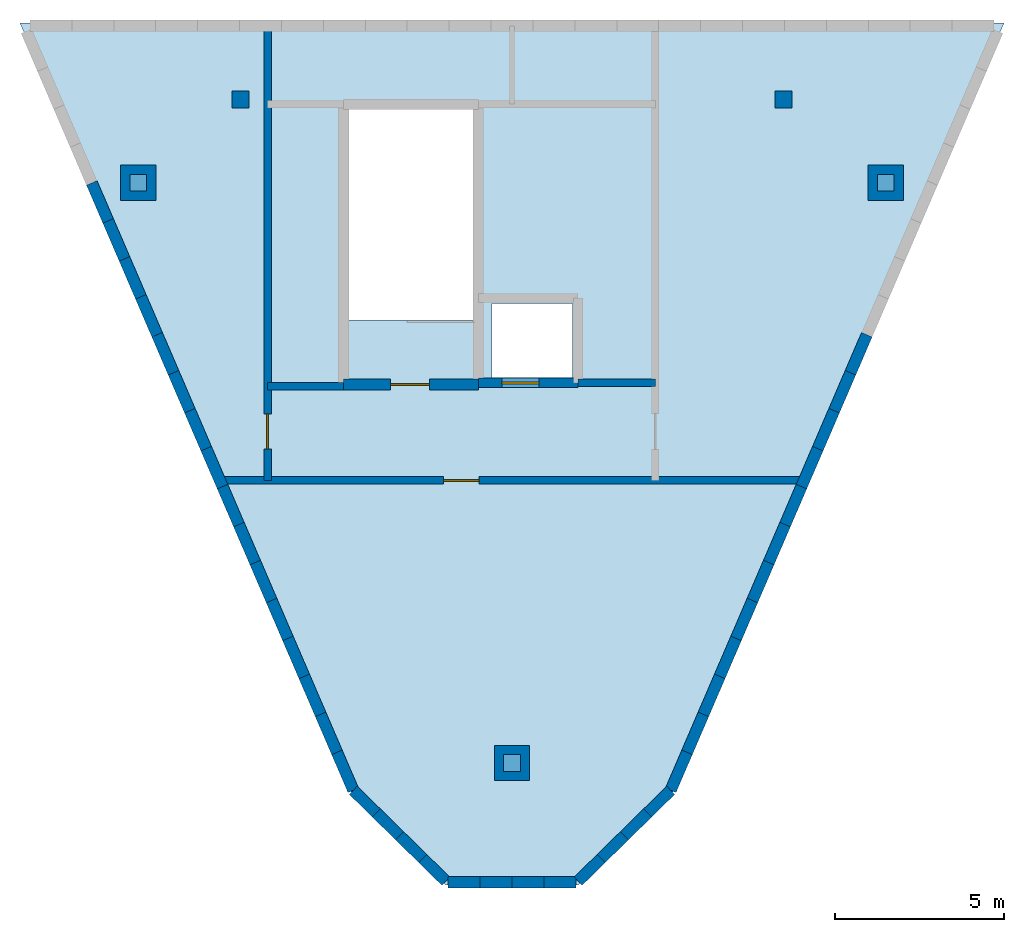
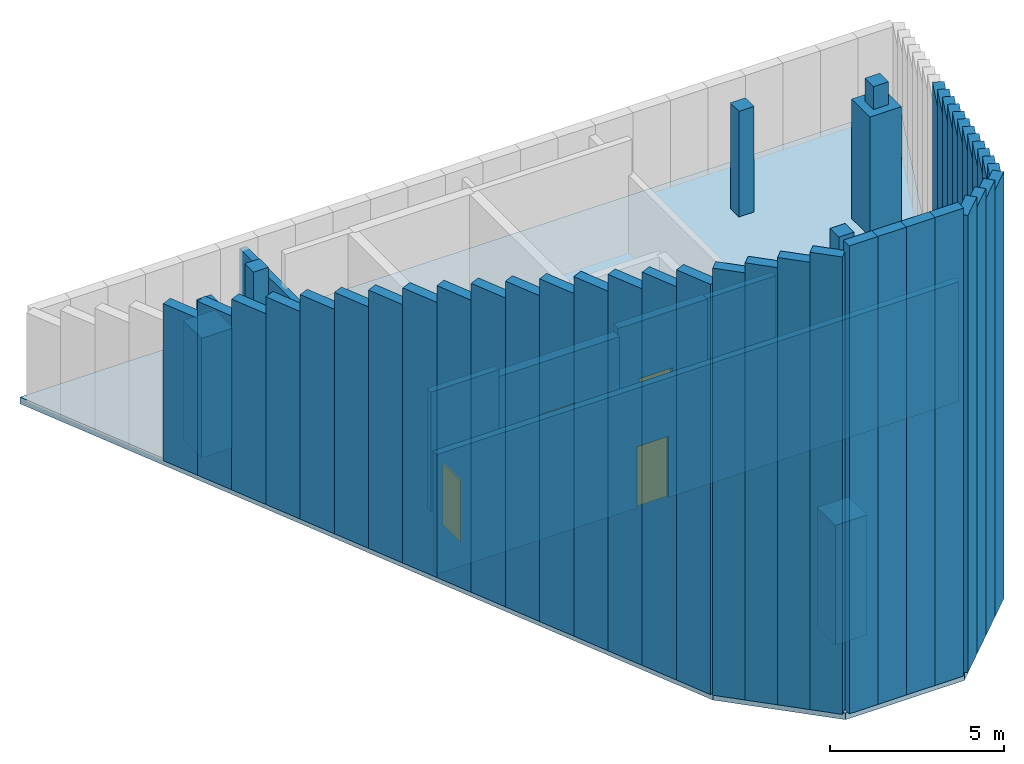
# One storey, part 1 of 3: 46 walls, 8 columns, 4 doors, 1 slab, 4 openings.
"""IFC4 building model written with IfcOpenShell, lengths in metres."""

from ifc_helpers import new_model, si_unit, direction, frame, frame_2d, origin, origin_2d, place, context, subcontext, project, spatial, polyline, rectangle, outline, extrude, material, layer, layer_set, material_profile, profile_set, type_object, element, fill, save


model = new_model("IFC4")

# Units and contexts
model_context = context("Model", 3, precision=1e-05, world=origin(), true_north=direction((0.0, 1.0)))
body_context = subcontext(model_context, "Body", "Model", "MODEL_VIEW")
ifc_project = project(units=[si_unit("LENGTHUNIT", "METRE"), si_unit("AREAUNIT", "SQUARE_METRE"), si_unit("VOLUMEUNIT", "CUBIC_METRE"), si_unit("PLANEANGLEUNIT", "RADIAN"), si_unit("MASSUNIT", "GRAM", prefix="KILO")], contexts=[model_context])

# Site, building, storey
site_placement = place(None, origin())
site = spatial("IfcSite", under=ifc_project, at=site_placement, CompositionType="ELEMENT")
building_placement = place(site_placement, origin())
building = spatial("IfcBuilding", under=site, at=building_placement, Name="Talyreon Biosciences Tower", CompositionType="ELEMENT")
storey_placement = place(building_placement, frame((0.0, 0.0, 329.800048828125)))
storey = spatial("IfcBuildingStorey", under=building, at=storey_placement, Name="L87", CompositionType="ELEMENT", Elevation=329.800048828125)

# Columns
ifc_material_1 = material(Name="Concrete C50/60", Category="concrete")
ifc_material_profile_1 = material_profile(ifc_material_1, rectangle(XDim=0.5, YDim=0.5, at=origin_2d()), Name="RC 500x500")
ifc_profile_set_1 = profile_set([ifc_material_profile_1], Name="Concrete C50/60")
column_type_1 = type_object("IfcColumnType", Name="CrownColumn_500", PredefinedType="COLUMN", material=ifc_profile_set_1)
for number, where, z_axis, x_axis, name in (
    (1, (57.949951171875, 61.35009765625, 0.0), (0.0, 0.0, 1.0), (1.0, 0.0, 0.0), "Crown Roof Support Post CC1"),
    (2, (74.050048828125, 61.35009765625, 0.0), (0.0, 0.0, 1.0), (1.0, 0.0, 0.0), "Crown Roof Support Post CC2"),
):
    element("IfcColumn", number, at=place(storey_placement, frame(where, z_axis=z_axis, x_axis=x_axis)), inside=storey, type_object=column_type_1, Name=name, PredefinedType="COLUMN", context=body_context, shape_type="SweptSolid", body=[
        extrude(rectangle(XDim=0.5, YDim=0.5, at=origin_2d()), origin(), (0.0, 0.0, 1.0), 3.70166015625),
    ])
for number, where, z_axis, x_axis, name in (
    (3, (77.086181640625, 58.88037109375, 4.199951171875), (0.0, 0.0, 1.0), (1.0, 0.0, 0.0), "Crown Roof Support Post MC4"),
    (4, (54.913818359375, 58.88037109375, 4.199951171875), (0.0, 0.0, 1.0), (1.0, 0.0, 0.0), "Crown Roof Support Post MC6"),
):
    element("IfcColumn", number, at=place(storey_placement, frame(where, z_axis=z_axis, x_axis=x_axis)), inside=storey, type_object=column_type_1, Name=name, PredefinedType="COLUMN", context=body_context, shape_type="SweptSolid", body=[
        extrude(rectangle(XDim=0.5, YDim=0.5, at=origin_2d()), origin(), (0.0, 0.0, 1.0), 0.80029296875),
    ])
column_placement = place(storey_placement, frame((66.0, 41.6669921875, 4.199951171875), z_axis=(0.0, 0.0, 1.0), x_axis=(1.0, 0.0, 0.0)))
element("IfcColumn", 5, at=column_placement, inside=storey, type_object=column_type_1, Name="Crown Roof Support Post MC1", PredefinedType="COLUMN", context=body_context, shape_type="SweptSolid", body=[
    extrude(rectangle(XDim=0.5, YDim=0.5, at=origin_2d()), origin(), (0.0, 0.0, 1.0), 9.850830078125),
])
ifc_material_profile_2 = material_profile(ifc_material_1, rectangle(XDim=1.050048828125, YDim=1.050048828125, at=origin_2d()), Name="RC 1050x1050")
ifc_profile_set_2 = profile_set([ifc_material_profile_2], Name="Concrete C50/60")
column_type_2 = type_object("IfcColumnType", Name="MegaColumn_1050", PredefinedType="COLUMN", material=ifc_profile_set_2)
for number, where, z_axis, x_axis, name in (
    (6, (66.0, 41.6669921875, 0.0), (0.0, 0.0, 1.0), (1.0, 0.0, 0.0), "L87 Composite Mega-Column MC1"),
    (7, (77.086181640625, 58.88037109375, 0.0), (0.0, 0.0, 1.0), (1.0, 0.0, 0.0), "L87 Composite Mega-Column MC4"),
    (8, (54.913818359375, 58.88037109375, 0.0), (0.0, 0.0, 1.0), (1.0, 0.0, 0.0), "L87 Composite Mega-Column MC6"),
):
    element("IfcColumn", number, at=place(storey_placement, frame(where, z_axis=z_axis, x_axis=x_axis)), inside=storey, type_object=column_type_2, Name=name, PredefinedType="COLUMN", context=body_context, shape_type="SweptSolid", body=[
        extrude(rectangle(XDim=1.050048828125, YDim=1.050048828125, at=origin_2d()), origin(), (0.0, 0.0, 1.0), 4.199951171875),
    ])

# Slab
ifc_material_2 = material(Name="Concrete C40/50", Category="concrete")
ifc_layer_1 = layer(ifc_material_2, 0.235107421875)
ifc_layer_set_1 = layer_set([ifc_layer_1], Name="Concrete C40/50")
slab_type = type_object("IfcSlabType", Name="CrownPlantSlab_235", PredefinedType="FLOOR", material=ifc_layer_set_1)
slab_placement = place(storey_placement, frame((0.0, 0.0, -0.235107421875)))
element("IfcSlab", 9, at=slab_placement, inside=storey, type_object=slab_type, Name="L87 Structural Floor Slab", PredefinedType="FLOOR", context=body_context, shape_type="SweptSolid", body=[
    extrude(outline(polyline([(51.405029296875, 63.616455078125), (80.594970703125, 63.616455078125), (70.776123046875, 40.810546875), (67.9677734375, 38.053466796875), (64.0322265625, 38.053466796875), (61.223876953125, 40.810546875), (51.405029296875, 63.616455078125)]), holes=[polyline([(65.39990234375, 53.10009765625), (65.39990234375, 55.300048828125), (67.800048828125, 55.300048828125), (67.800048828125, 53.10009765625), (65.39990234375, 53.10009765625)]), polyline([(61.159912109375, 54.80810546875), (61.159912109375, 61.050048828125), (64.840087890625, 61.050048828125), (64.840087890625, 54.80810546875), (61.159912109375, 54.80810546875)])]), origin(), (0.0, 0.0, 1.0), 0.235107421875),
])

# Wall, opening, door
ifc_layer_2 = layer(ifc_material_1, 0.280029296875)
ifc_layer_set_2 = layer_set([ifc_layer_2], Name="Concrete C50/60")
wall_type_1 = type_object("IfcWallType", Name="CoreShearWall_280", PredefinedType="SHEAR", material=ifc_layer_set_2)
wall_1_placement = place(storey_placement, frame((65.0, 52.93994140625, 0.0), z_axis=(0.0, 0.0, 1.0), x_axis=(1.0, 0.0, 0.0)))
wall_1 = element("IfcWall", 10, at=wall_1_placement, inside=storey, type_object=wall_type_1, Name="L87 Crown Service Lift SL1 Shaft Wall S", PredefinedType="SHEAR", context=body_context, shape_type="SweptSolid", body=[
    extrude(rectangle(XDim=2.9599609375, YDim=0.280029296875, at=frame_2d((1.47998046875, 0.0))), origin(), (0.0, 0.0, 1.0), 4.199951171875),
])
opening_1_placement = place(wall_1_placement, frame((0.699951171875, 0.0, 0.0)))
opening_1 = element("IfcOpeningElement", 11, at=opening_1_placement, cuts=wall_1, Name="Opening LD-L87-SL1", PredefinedType="OPENING", context=body_context, shape_type="SweptSolid", body=[
    extrude(rectangle(XDim=1.10009765625, YDim=2.199951171875, at=frame_2d((0.550048828125, 1.10009765625))), frame((0.0, 0.14990234375, 0.0), z_axis=(0.0, -1.0, 0.0), x_axis=(1.0, 0.0, 0.0)), (0.0, 0.0, 1.0), 0.300048828125),
])
ifc_material_3 = material(Name="Brushed stainless-steel lift landing door", Category="steel")
door_type_1 = type_object("IfcDoorType", Name="LiftSlidingLandingDoor_1100x2200", OperationType="SLIDING_TO_LEFT", PredefinedType="DOOR", material=ifc_material_3)
door_1_placement = place(opening_1_placement, origin())
door_1 = element("IfcDoor", 12, at=door_1_placement, inside=storey, type_object=door_type_1, Name="L87 Core Door LD-L87-SL1", OperationType="SLIDING_TO_LEFT", OverallHeight=2.199951171875, OverallWidth=1.10009765625, PredefinedType="DOOR", context=body_context, shape_type="SweptSolid", body=[
    extrude(rectangle(XDim=1.10009765625, YDim=2.199951171875, at=frame_2d((0.550048828125, 1.10009765625))), frame((0.0, 0.02490234375, 0.0), z_axis=(0.0, -1.0, 0.0), x_axis=(1.0, 0.0, 0.0)), (0.0, 0.0, 1.0), 0.050048828125),
])
fill(opening_1, door_1)

ifc_layer_3 = layer(ifc_material_1, 0.320068359375)
ifc_layer_set_3 = layer_set([ifc_layer_3], Name="Concrete C50/60")
wall_type_2 = type_object("IfcWallType", Name="CoreShearWall_320", PredefinedType="SHEAR", material=ifc_layer_set_3)
wall_2_placement = place(storey_placement, frame((61.0, 52.889892578125, 0.0), z_axis=(0.0, 0.0, 1.0), x_axis=(1.0, 0.0, 0.0)))
wall_2 = element("IfcWall", 13, at=wall_2_placement, inside=storey, type_object=wall_type_2, Name="L87 Crown Stair ST-4 Structural Wall S", PredefinedType="SHEAR", context=body_context, shape_type="SweptSolid", body=[
    extrude(rectangle(XDim=4.0, YDim=0.320068359375, at=frame_2d((2.0, 0.0))), origin(), (0.0, 0.0, 1.0), 3.955322265625),
])
opening_2_placement = place(wall_2_placement, frame((1.39990234375, 0.0, 0.0)))
opening_2 = element("IfcOpeningElement", 14, at=opening_2_placement, cuts=wall_2, Name="Opening DR-L87-ST4", PredefinedType="OPENING", context=body_context, shape_type="SweptSolid", body=[
    extrude(rectangle(XDim=1.14990234375, YDim=2.14990234375, at=frame_2d((0.574951171875, 1.074951171875))), frame((0.0, 0.169921875, 0.0), z_axis=(0.0, -1.0, 0.0), x_axis=(1.0, 0.0, 0.0)), (0.0, 0.0, 1.0), 0.340087890625),
])
ifc_material_4 = material(Name="Painted steel fire door", Category="steel")
door_type_2 = type_object("IfcDoorType", Name="StairShaftFireDoor_1150x2150", OperationType="NOTDEFINED", PredefinedType="DOOR", material=ifc_material_4)
door_2_placement = place(opening_2_placement, origin())
door_2 = element("IfcDoor", 15, at=door_2_placement, inside=storey, type_object=door_type_2, Name="L87 Core Door DR-L87-ST4", OperationType="SINGLE_SWING_LEFT", OverallHeight=2.14990234375, OverallWidth=1.14990234375, PredefinedType="DOOR", context=body_context, shape_type="SweptSolid", body=[
    extrude(rectangle(XDim=1.14990234375, YDim=2.14990234375, at=frame_2d((0.574951171875, 1.074951171875))), frame((0.0, 0.02490234375, 0.0), z_axis=(0.0, -1.0, 0.0), x_axis=(1.0, 0.0, 0.0)), (0.0, 0.0, 1.0), 0.050048828125),
])
fill(opening_2, door_2)

ifc_material_5 = material(Name="Gypsum fireboard acoustic stud", Category="gypsum")
ifc_layer_4 = layer(ifc_material_5, 0.219970703125)
ifc_layer_set_4 = layer_set([ifc_layer_4], Name="Gypsum fireboard acoustic stud")
wall_type_3 = type_object("IfcWallType", Name="CorridorRatedPartition_220", PredefinedType="PARTITIONING", material=ifc_layer_set_4)
wall_3_placement = place(storey_placement, frame((57.33837890625, 50.050048828125, 0.0), z_axis=(0.0, 0.0, 1.0), x_axis=(1.0, 0.0, 0.0)))
wall_3 = element("IfcWall", 16, at=wall_3_placement, inside=storey, type_object=wall_type_3, Name="L87 Interior Wall IW-L87-CCOR-S", PredefinedType="PARTITIONING", context=body_context, shape_type="SweptSolid", body=[
    extrude(rectangle(XDim=17.3232421875, YDim=0.219970703125, at=frame_2d((8.66162109375, 0.0))), origin(), (0.0, 0.0, 1.0), 4.199951171875),
])
opening_3_placement = place(wall_3_placement, frame((6.636962890625, 0.0, 0.0)))
opening_3 = element("IfcOpeningElement", 17, at=opening_3_placement, cuts=wall_3, Name="Opening DR-L87-AHU", PredefinedType="OPENING", context=body_context, shape_type="SweptSolid", body=[
    extrude(rectangle(XDim=1.050048828125, YDim=2.14990234375, at=frame_2d((0.52490234375, 1.074951171875))), frame((0.0, 0.119873046875, 0.0), z_axis=(0.0, -1.0, 0.0), x_axis=(1.0, 0.0, 0.0)), (0.0, 0.0, 1.0), 0.239990234375),
])
ifc_material_6 = material(Name="Acoustic timber-core laboratory door", Category="wood")
door_type_3 = type_object("IfcDoorType", Name="DryLabSingleDoor_1050x2150", OperationType="NOTDEFINED", PredefinedType="DOOR", material=ifc_material_6)
door_3_placement = place(opening_3_placement, origin())
door_3 = element("IfcDoor", 18, at=door_3_placement, inside=storey, type_object=door_type_3, Name="L87 Interior Door DR-L87-AHU", OperationType="SINGLE_SWING_LEFT", OverallHeight=2.14990234375, OverallWidth=1.050048828125, PredefinedType="DOOR", context=body_context, shape_type="SweptSolid", body=[
    extrude(rectangle(XDim=1.050048828125, YDim=2.14990234375, at=frame_2d((0.52490234375, 1.074951171875))), frame((0.0, 0.02490234375, 0.0), z_axis=(0.0, -1.0, 0.0), x_axis=(1.0, 0.0, 0.0)), (0.0, 0.0, 1.0), 0.050048828125),
])
fill(opening_3, door_3)

wall_4_placement = place(storey_placement, frame((58.75, 50.050048828125, 0.0), z_axis=(0.0, 0.0, 1.0), x_axis=(0.0, 1.0, 0.0)))
wall_4 = element("IfcWall", 19, at=wall_4_placement, inside=storey, type_object=wall_type_3, Name="L87 Interior Wall IW-L87-CCOR-W", PredefinedType="PARTITIONING", context=body_context, shape_type="SweptSolid", body=[
    extrude(rectangle(XDim=13.4814453125, YDim=0.219970703125, at=frame_2d((6.74072265625, 0.0))), origin(), (0.0, 0.0, 1.0), 2.734619140625),
])
opening_4_placement = place(wall_4_placement, frame((0.925048828125, 0.0, 0.0)))
opening_4 = element("IfcOpeningElement", 20, at=opening_4_placement, cuts=wall_4, Name="Opening DR-L87-SWG", PredefinedType="OPENING", context=body_context, shape_type="SweptSolid", body=[
    extrude(rectangle(XDim=1.050048828125, YDim=2.14990234375, at=frame_2d((0.52490234375, 1.074951171875))), frame((0.0, 0.119873046875, 0.0), z_axis=(0.0, -1.0, 0.0), x_axis=(1.0, 0.0, 0.0)), (0.0, 0.0, 1.0), 0.239990234375),
])
door_4_placement = place(opening_4_placement, origin())
door_4 = element("IfcDoor", 21, at=door_4_placement, inside=storey, type_object=door_type_3, Name="L87 Interior Door DR-L87-SWG", OperationType="SINGLE_SWING_LEFT", OverallHeight=2.14990234375, OverallWidth=1.050048828125, PredefinedType="DOOR", context=body_context, shape_type="SweptSolid", body=[
    extrude(rectangle(XDim=1.050048828125, YDim=2.14990234375, at=frame_2d((0.52490234375, 1.074951171875))), frame((0.0, 0.02490234375, 0.0), z_axis=(0.0, -1.0, 0.0), x_axis=(1.0, 0.0, 0.0)), (0.0, 0.0, 1.0), 0.050048828125),
])
fill(opening_4, door_4)

# Walls
wall_5_placement = place(storey_placement, frame((58.75, 52.840087890625, 0.0), z_axis=(0.0, 0.0, 1.0), x_axis=(1.0, 0.0, 0.0)))
element("IfcWall", 22, at=wall_5_placement, inside=storey, type_object=wall_type_3, Name="L87 Interior Wall IW-L87-CCOR-NW", PredefinedType="PARTITIONING", context=body_context, shape_type="SweptSolid", body=[
    extrude(rectangle(XDim=2.25, YDim=0.219970703125, at=frame_2d((1.125, 0.0))), origin(), (0.0, 0.0, 1.0), 4.199951171875),
])
wall_6_placement = place(storey_placement, frame((67.9599609375, 52.93994140625, 0.0), z_axis=(0.0, 0.0, 1.0), x_axis=(1.0, 0.0, 0.0)))
element("IfcWall", 23, at=wall_6_placement, inside=storey, type_object=wall_type_3, Name="L87 Interior Wall IW-L87-CCOR-NE", PredefinedType="PARTITIONING", context=body_context, shape_type="SweptSolid", body=[
    extrude(rectangle(XDim=2.2900390625, YDim=0.219970703125, at=frame_2d((1.14501953125, 0.0))), origin(), (0.0, 0.0, 1.0), 4.199951171875),
])
ifc_material_7 = material(Name="Precast concrete C45/55", Category="concrete")
ifc_layer_5 = layer(ifc_material_7, 0.340087890625)
ifc_layer_set_5 = layer_set([ifc_layer_5], Name="Precast concrete C45/55")
wall_type_4 = type_object("IfcWallType", Name="PrecastConcreteSpandrelWall_340", PredefinedType="STANDARD", material=ifc_layer_set_5)
wall_7_placement = place(storey_placement, frame((76.5263671875, 54.36865234375, 0.0), z_axis=(0.0, 0.0, 1.0), x_axis=(-0.395505017076, -0.91846381609, 0.0)))
element("IfcWall", 24, at=wall_7_placement, inside=storey, type_object=wall_type_4, Name="L87 Slanted Crown Spandrel 01.09", PredefinedType="STANDARD", context=body_context, shape_type="SweptSolid", body=[
    extrude(rectangle(XDim=1.225830078125, YDim=0.340087890625, at=frame_2d((0.61279296875, 0.0))), origin(), (0.0, 0.0, 1.0), 7.872314453125),
])
wall_8_placement = place(storey_placement, frame((76.04150390625, 53.24267578125, 0.0), z_axis=(0.0, 0.0, 1.0), x_axis=(-0.395505017076, -0.91846381609, 0.0)))
element("IfcWall", 25, at=wall_8_placement, inside=storey, type_object=wall_type_4, Name="L87 Slanted Crown Spandrel 01.10", PredefinedType="STANDARD", context=body_context, shape_type="SweptSolid", body=[
    extrude(rectangle(XDim=1.225830078125, YDim=0.340087890625, at=frame_2d((0.61279296875, 0.0))), origin(), (0.0, 0.0, 1.0), 8.46435546875),
])
wall_9_placement = place(storey_placement, frame((75.556640625, 52.11669921875, 0.0), z_axis=(0.0, 0.0, 1.0), x_axis=(-0.395264691999, -0.918567266595, 0.0)))
element("IfcWall", 26, at=wall_9_placement, inside=storey, type_object=wall_type_4, Name="L87 Slanted Crown Spandrel 01.11", PredefinedType="STANDARD", context=body_context, shape_type="SweptSolid", body=[
    extrude(rectangle(XDim=1.22607421875, YDim=0.340087890625, at=frame_2d((0.613037109375, 0.0))), origin(), (0.0, 0.0, 1.0), 9.056396484375),
])
wall_10_placement = place(storey_placement, frame((75.072021484375, 50.990478515625, 0.0), z_axis=(0.0, 0.0, 1.0), x_axis=(-0.395505017076, -0.91846381609, 0.0)))
element("IfcWall", 27, at=wall_10_placement, inside=storey, type_object=wall_type_4, Name="L87 Slanted Crown Spandrel 01.12", PredefinedType="STANDARD", context=body_context, shape_type="SweptSolid", body=[
    extrude(rectangle(XDim=1.225830078125, YDim=0.340087890625, at=frame_2d((0.61279296875, 0.0))), origin(), (0.0, 0.0, 1.0), 9.6484375),
])
wall_11_placement = place(storey_placement, frame((74.587158203125, 49.864501953125, 0.0), z_axis=(0.0, 0.0, 1.0), x_axis=(-0.395505017076, -0.91846381609, 0.0)))
element("IfcWall", 28, at=wall_11_placement, inside=storey, type_object=wall_type_4, Name="L87 Slanted Crown Spandrel 01.13", PredefinedType="STANDARD", context=body_context, shape_type="SweptSolid", body=[
    extrude(rectangle(XDim=1.225830078125, YDim=0.340087890625, at=frame_2d((0.61279296875, 0.0))), origin(), (0.0, 0.0, 1.0), 10.240478515625),
])
wall_12_placement = place(storey_placement, frame((74.102294921875, 48.738525390625, 0.0), z_axis=(0.0, 0.0, 1.0), x_axis=(-0.395337002036, -0.918536147803, 0.0)))
element("IfcWall", 29, at=wall_12_placement, inside=storey, type_object=wall_type_4, Name="L87 Slanted Crown Spandrel 01.14", PredefinedType="STANDARD", context=body_context, shape_type="SweptSolid", body=[
    extrude(rectangle(XDim=1.225830078125, YDim=0.340087890625, at=frame_2d((0.61279296875, 0.0))), origin(), (0.0, 0.0, 1.0), 10.832763671875),
])
wall_13_placement = place(storey_placement, frame((73.61767578125, 47.612548828125, 0.0), z_axis=(0.0, 0.0, 1.0), x_axis=(-0.395505017076, -0.91846381609, 0.0)))
element("IfcWall", 30, at=wall_13_placement, inside=storey, type_object=wall_type_4, Name="L87 Slanted Crown Spandrel 01.15", PredefinedType="STANDARD", context=body_context, shape_type="SweptSolid", body=[
    extrude(rectangle(XDim=1.225830078125, YDim=0.340087890625, at=frame_2d((0.61279296875, 0.0))), origin(), (0.0, 0.0, 1.0), 11.424560546875),
])
wall_14_placement = place(storey_placement, frame((73.1328125, 46.486572265625, 0.0), z_axis=(0.0, 0.0, 1.0), x_axis=(-0.395505017076, -0.91846381609, 0.0)))
element("IfcWall", 31, at=wall_14_placement, inside=storey, type_object=wall_type_4, Name="L87 Slanted Crown Spandrel 01.16", PredefinedType="STANDARD", context=body_context, shape_type="SweptSolid", body=[
    extrude(rectangle(XDim=1.225830078125, YDim=0.340087890625, at=frame_2d((0.61279296875, 0.0))), origin(), (0.0, 0.0, 1.0), 12.0166015625),
])
wall_15_placement = place(storey_placement, frame((72.64794921875, 45.360595703125, 0.0), z_axis=(0.0, 0.0, 1.0), x_axis=(-0.395505017076, -0.91846381609, 0.0)))
element("IfcWall", 32, at=wall_15_placement, inside=storey, type_object=wall_type_4, Name="L87 Slanted Crown Spandrel 01.17", PredefinedType="STANDARD", context=body_context, shape_type="SweptSolid", body=[
    extrude(rectangle(XDim=1.225830078125, YDim=0.340087890625, at=frame_2d((0.61279296875, 0.0))), origin(), (0.0, 0.0, 1.0), 12.608642578125),
])
wall_16_placement = place(storey_placement, frame((72.1630859375, 44.234619140625, 0.0), z_axis=(0.0, 0.0, 1.0), x_axis=(-0.395337002036, -0.918536147803, 0.0)))
element("IfcWall", 33, at=wall_16_placement, inside=storey, type_object=wall_type_4, Name="L87 Slanted Crown Spandrel 01.18", PredefinedType="STANDARD", context=body_context, shape_type="SweptSolid", body=[
    extrude(rectangle(XDim=1.225830078125, YDim=0.340087890625, at=frame_2d((0.61279296875, 0.0))), origin(), (0.0, 0.0, 1.0), 13.20068359375),
])
wall_17_placement = place(storey_placement, frame((71.678466796875, 43.108642578125, 0.0), z_axis=(0.0, 0.0, 1.0), x_axis=(-0.395505017076, -0.91846381609, 0.0)))
element("IfcWall", 34, at=wall_17_placement, inside=storey, type_object=wall_type_4, Name="L87 Slanted Crown Spandrel 01.19", PredefinedType="STANDARD", context=body_context, shape_type="SweptSolid", body=[
    extrude(rectangle(XDim=1.225830078125, YDim=0.340087890625, at=frame_2d((0.61279296875, 0.0))), origin(), (0.0, 0.0, 1.0), 13.792724609375),
])
wall_18_placement = place(storey_placement, frame((71.193603515625, 41.982666015625, 0.0), z_axis=(0.0, 0.0, 1.0), x_axis=(-0.395505017076, -0.91846381609, 0.0)))
element("IfcWall", 35, at=wall_18_placement, inside=storey, type_object=wall_type_4, Name="L87 Slanted Crown Spandrel 01.20", PredefinedType="STANDARD", context=body_context, shape_type="SweptSolid", body=[
    extrude(rectangle(XDim=1.225830078125, YDim=0.340087890625, at=frame_2d((0.61279296875, 0.0))), origin(), (0.0, 0.0, 1.0), 14.384765625),
])
wall_19_placement = place(storey_placement, frame((70.708740234375, 40.856689453125, 0.0), z_axis=(0.0, 0.0, 1.0), x_axis=(-0.713547825106, -0.700606523868, 0.0)))
element("IfcWall", 36, at=wall_19_placement, inside=storey, type_object=wall_type_4, Name="L87 Slanted Crown Spandrel 02.01", PredefinedType="STANDARD", context=body_context, shape_type="SweptSolid", body=[
    extrude(rectangle(XDim=0.962158203125, YDim=0.340087890625, at=frame_2d((0.48095703125, 0.0))), origin(), (0.0, 0.0, 1.0), 14.976806640625),
])
wall_20_placement = place(storey_placement, frame((70.022216796875, 40.1826171875, 0.0), z_axis=(0.0, 0.0, 1.0), x_axis=(-0.713545525228, -0.700608866221, 0.0)))
element("IfcWall", 37, at=wall_20_placement, inside=storey, type_object=wall_type_4, Name="L87 Slanted Crown Spandrel 02.02", PredefinedType="STANDARD", context=body_context, shape_type="SweptSolid", body=[
    extrude(rectangle(XDim=0.96240234375, YDim=0.340087890625, at=frame_2d((0.481201171875, 0.0))), origin(), (0.0, 0.0, 1.0), 15.331298828125),
])
wall_21_placement = place(storey_placement, frame((69.33544921875, 39.50830078125, 0.0), z_axis=(0.0, 0.0, 1.0), x_axis=(-0.713672344838, -0.700479681514, 0.0)))
element("IfcWall", 38, at=wall_21_placement, inside=storey, type_object=wall_type_4, Name="L87 Slanted Crown Spandrel 02.03", PredefinedType="STANDARD", context=body_context, shape_type="SweptSolid", body=[
    extrude(rectangle(XDim=0.96240234375, YDim=0.340087890625, at=frame_2d((0.481201171875, 0.0))), origin(), (0.0, 0.0, 1.0), 15.685791015625),
])
wall_22_placement = place(storey_placement, frame((68.648681640625, 38.834228515625, 0.0), z_axis=(0.0, 0.0, 1.0), x_axis=(-0.713547825106, -0.700606523868, 0.0)))
element("IfcWall", 39, at=wall_22_placement, inside=storey, type_object=wall_type_4, Name="L87 Slanted Crown Spandrel 02.04", PredefinedType="STANDARD", context=body_context, shape_type="SweptSolid", body=[
    extrude(rectangle(XDim=0.962158203125, YDim=0.340087890625, at=frame_2d((0.48095703125, 0.0))), origin(), (0.0, 0.0, 1.0), 16.0400390625),
])
for number, where, z_axis, x_axis, name in (
    (40, (67.89697265625, 38.133544921875, 0.0), (0.0, 0.0, 1.0), (-1.0, 0.0, 0.0), "L87 Slanted Crown Spandrel 03.01"),
    (41, (66.948486328125, 38.133544921875, 0.0), (0.0, 0.0, 1.0), (-1.0, 0.0, 0.0), "L87 Slanted Crown Spandrel 03.02"),
    (42, (66.0, 38.133544921875, 0.0), (0.0, 0.0, 1.0), (-1.0, 0.0, 0.0), "L87 Slanted Crown Spandrel 03.03"),
    (43, (65.051513671875, 38.133544921875, 0.0), (0.0, 0.0, 1.0), (-1.0, 0.0, 0.0), "L87 Slanted Crown Spandrel 03.04"),
):
    element("IfcWall", number, at=place(storey_placement, frame(where, z_axis=z_axis, x_axis=x_axis)), inside=storey, type_object=wall_type_4, Name=name, PredefinedType="STANDARD", context=body_context, shape_type="SweptSolid", body=[
        extrude(rectangle(XDim=0.948486328125, YDim=0.340087890625, at=frame_2d((0.47412109375, 0.0))), origin(), (0.0, 0.0, 1.0), 16.40869140625),
    ])
wall_23_placement = place(storey_placement, frame((64.037841796875, 38.16015625, 0.0), z_axis=(0.0, 0.0, 1.0), x_axis=(-0.713547825106, 0.700606523868, 0.0)))
element("IfcWall", 44, at=wall_23_placement, inside=storey, type_object=wall_type_4, Name="L87 Slanted Crown Spandrel 04.01", PredefinedType="STANDARD", context=body_context, shape_type="SweptSolid", body=[
    extrude(rectangle(XDim=0.962158203125, YDim=0.340087890625, at=frame_2d((0.48095703125, 0.0))), origin(), (0.0, 0.0, 1.0), 16.0400390625),
])
wall_24_placement = place(storey_placement, frame((63.351318359375, 38.834228515625, 0.0), z_axis=(0.0, 0.0, 1.0), x_axis=(-0.713672344838, 0.700479681514, 0.0)))
element("IfcWall", 45, at=wall_24_placement, inside=storey, type_object=wall_type_4, Name="L87 Slanted Crown Spandrel 04.02", PredefinedType="STANDARD", context=body_context, shape_type="SweptSolid", body=[
    extrude(rectangle(XDim=0.96240234375, YDim=0.340087890625, at=frame_2d((0.481201171875, 0.0))), origin(), (0.0, 0.0, 1.0), 15.685791015625),
])
wall_25_placement = place(storey_placement, frame((62.66455078125, 39.50830078125, 0.0), z_axis=(0.0, 0.0, 1.0), x_axis=(-0.713545525228, 0.700608866221, 0.0)))
element("IfcWall", 46, at=wall_25_placement, inside=storey, type_object=wall_type_4, Name="L87 Slanted Crown Spandrel 04.03", PredefinedType="STANDARD", context=body_context, shape_type="SweptSolid", body=[
    extrude(rectangle(XDim=0.96240234375, YDim=0.340087890625, at=frame_2d((0.481201171875, 0.0))), origin(), (0.0, 0.0, 1.0), 15.331298828125),
])
wall_26_placement = place(storey_placement, frame((61.977783203125, 40.1826171875, 0.0), z_axis=(0.0, 0.0, 1.0), x_axis=(-0.713547825106, 0.700606523868, 0.0)))
element("IfcWall", 47, at=wall_26_placement, inside=storey, type_object=wall_type_4, Name="L87 Slanted Crown Spandrel 04.04", PredefinedType="STANDARD", context=body_context, shape_type="SweptSolid", body=[
    extrude(rectangle(XDim=0.962158203125, YDim=0.340087890625, at=frame_2d((0.48095703125, 0.0))), origin(), (0.0, 0.0, 1.0), 14.976806640625),
])
wall_27_placement = place(storey_placement, frame((61.291259765625, 40.856689453125, 0.0), z_axis=(0.0, 0.0, 1.0), x_axis=(-0.395505017076, 0.91846381609, 0.0)))
element("IfcWall", 48, at=wall_27_placement, inside=storey, type_object=wall_type_4, Name="L87 Slanted Crown Spandrel 05.01", PredefinedType="STANDARD", context=body_context, shape_type="SweptSolid", body=[
    extrude(rectangle(XDim=1.225830078125, YDim=0.340087890625, at=frame_2d((0.61279296875, 0.0))), origin(), (0.0, 0.0, 1.0), 14.384765625),
])
wall_28_placement = place(storey_placement, frame((60.806396484375, 41.982666015625, 0.0), z_axis=(0.0, 0.0, 1.0), x_axis=(-0.395505017076, 0.91846381609, 0.0)))
element("IfcWall", 49, at=wall_28_placement, inside=storey, type_object=wall_type_4, Name="L87 Slanted Crown Spandrel 05.02", PredefinedType="STANDARD", context=body_context, shape_type="SweptSolid", body=[
    extrude(rectangle(XDim=1.225830078125, YDim=0.340087890625, at=frame_2d((0.61279296875, 0.0))), origin(), (0.0, 0.0, 1.0), 13.792724609375),
])
wall_29_placement = place(storey_placement, frame((60.321533203125, 43.108642578125, 0.0), z_axis=(0.0, 0.0, 1.0), x_axis=(-0.395337002036, 0.918536147803, 0.0)))
element("IfcWall", 50, at=wall_29_placement, inside=storey, type_object=wall_type_4, Name="L87 Slanted Crown Spandrel 05.03", PredefinedType="STANDARD", context=body_context, shape_type="SweptSolid", body=[
    extrude(rectangle(XDim=1.225830078125, YDim=0.340087890625, at=frame_2d((0.61279296875, 0.0))), origin(), (0.0, 0.0, 1.0), 13.20068359375),
])
wall_30_placement = place(storey_placement, frame((59.8369140625, 44.234619140625, 0.0), z_axis=(0.0, 0.0, 1.0), x_axis=(-0.395505017076, 0.91846381609, 0.0)))
element("IfcWall", 51, at=wall_30_placement, inside=storey, type_object=wall_type_4, Name="L87 Slanted Crown Spandrel 05.04", PredefinedType="STANDARD", context=body_context, shape_type="SweptSolid", body=[
    extrude(rectangle(XDim=1.225830078125, YDim=0.340087890625, at=frame_2d((0.61279296875, 0.0))), origin(), (0.0, 0.0, 1.0), 12.608642578125),
])
wall_31_placement = place(storey_placement, frame((59.35205078125, 45.360595703125, 0.0), z_axis=(0.0, 0.0, 1.0), x_axis=(-0.395505017076, 0.91846381609, 0.0)))
element("IfcWall", 52, at=wall_31_placement, inside=storey, type_object=wall_type_4, Name="L87 Slanted Crown Spandrel 05.05", PredefinedType="STANDARD", context=body_context, shape_type="SweptSolid", body=[
    extrude(rectangle(XDim=1.225830078125, YDim=0.340087890625, at=frame_2d((0.61279296875, 0.0))), origin(), (0.0, 0.0, 1.0), 12.0166015625),
])
wall_32_placement = place(storey_placement, frame((58.8671875, 46.486572265625, 0.0), z_axis=(0.0, 0.0, 1.0), x_axis=(-0.395505017076, 0.91846381609, 0.0)))
element("IfcWall", 53, at=wall_32_placement, inside=storey, type_object=wall_type_4, Name="L87 Slanted Crown Spandrel 05.06", PredefinedType="STANDARD", context=body_context, shape_type="SweptSolid", body=[
    extrude(rectangle(XDim=1.225830078125, YDim=0.340087890625, at=frame_2d((0.61279296875, 0.0))), origin(), (0.0, 0.0, 1.0), 11.424560546875),
])
wall_33_placement = place(storey_placement, frame((58.38232421875, 47.612548828125, 0.0), z_axis=(0.0, 0.0, 1.0), x_axis=(-0.395337002036, 0.918536147803, 0.0)))
element("IfcWall", 54, at=wall_33_placement, inside=storey, type_object=wall_type_4, Name="L87 Slanted Crown Spandrel 05.07", PredefinedType="STANDARD", context=body_context, shape_type="SweptSolid", body=[
    extrude(rectangle(XDim=1.225830078125, YDim=0.340087890625, at=frame_2d((0.61279296875, 0.0))), origin(), (0.0, 0.0, 1.0), 10.832763671875),
])
wall_34_placement = place(storey_placement, frame((57.897705078125, 48.738525390625, 0.0), z_axis=(0.0, 0.0, 1.0), x_axis=(-0.395505017076, 0.91846381609, 0.0)))
element("IfcWall", 55, at=wall_34_placement, inside=storey, type_object=wall_type_4, Name="L87 Slanted Crown Spandrel 05.08", PredefinedType="STANDARD", context=body_context, shape_type="SweptSolid", body=[
    extrude(rectangle(XDim=1.225830078125, YDim=0.340087890625, at=frame_2d((0.61279296875, 0.0))), origin(), (0.0, 0.0, 1.0), 10.240478515625),
])
wall_35_placement = place(storey_placement, frame((57.412841796875, 49.864501953125, 0.0), z_axis=(0.0, 0.0, 1.0), x_axis=(-0.395505017076, 0.91846381609, 0.0)))
element("IfcWall", 56, at=wall_35_placement, inside=storey, type_object=wall_type_4, Name="L87 Slanted Crown Spandrel 05.09", PredefinedType="STANDARD", context=body_context, shape_type="SweptSolid", body=[
    extrude(rectangle(XDim=1.225830078125, YDim=0.340087890625, at=frame_2d((0.61279296875, 0.0))), origin(), (0.0, 0.0, 1.0), 9.6484375),
])
wall_36_placement = place(storey_placement, frame((56.927978515625, 50.990478515625, 0.0), z_axis=(0.0, 0.0, 1.0), x_axis=(-0.395264691999, 0.918567266595, 0.0)))
element("IfcWall", 57, at=wall_36_placement, inside=storey, type_object=wall_type_4, Name="L87 Slanted Crown Spandrel 05.10", PredefinedType="STANDARD", context=body_context, shape_type="SweptSolid", body=[
    extrude(rectangle(XDim=1.22607421875, YDim=0.340087890625, at=frame_2d((0.613037109375, 0.0))), origin(), (0.0, 0.0, 1.0), 9.056396484375),
])
wall_37_placement = place(storey_placement, frame((56.443359375, 52.11669921875, 0.0), z_axis=(0.0, 0.0, 1.0), x_axis=(-0.395505017076, 0.91846381609, 0.0)))
element("IfcWall", 58, at=wall_37_placement, inside=storey, type_object=wall_type_4, Name="L87 Slanted Crown Spandrel 05.11", PredefinedType="STANDARD", context=body_context, shape_type="SweptSolid", body=[
    extrude(rectangle(XDim=1.225830078125, YDim=0.340087890625, at=frame_2d((0.61279296875, 0.0))), origin(), (0.0, 0.0, 1.0), 8.46435546875),
])
wall_38_placement = place(storey_placement, frame((55.95849609375, 53.24267578125, 0.0), z_axis=(0.0, 0.0, 1.0), x_axis=(-0.395505017076, 0.91846381609, 0.0)))
element("IfcWall", 59, at=wall_38_placement, inside=storey, type_object=wall_type_4, Name="L87 Slanted Crown Spandrel 05.12", PredefinedType="STANDARD", context=body_context, shape_type="SweptSolid", body=[
    extrude(rectangle(XDim=1.225830078125, YDim=0.340087890625, at=frame_2d((0.61279296875, 0.0))), origin(), (0.0, 0.0, 1.0), 7.872314453125),
])
wall_39_placement = place(storey_placement, frame((55.4736328125, 54.36865234375, 0.0), z_axis=(0.0, 0.0, 1.0), x_axis=(-0.395337002036, 0.918536147803, 0.0)))
element("IfcWall", 60, at=wall_39_placement, inside=storey, type_object=wall_type_4, Name="L87 Slanted Crown Spandrel 05.13", PredefinedType="STANDARD", context=body_context, shape_type="SweptSolid", body=[
    extrude(rectangle(XDim=1.225830078125, YDim=0.340087890625, at=frame_2d((0.61279296875, 0.0))), origin(), (0.0, 0.0, 1.0), 7.2802734375),
])
wall_40_placement = place(storey_placement, frame((54.989013671875, 55.49462890625, 0.0), z_axis=(0.0, 0.0, 1.0), x_axis=(-0.395505017076, 0.91846381609, 0.0)))
element("IfcWall", 61, at=wall_40_placement, inside=storey, type_object=wall_type_4, Name="L87 Slanted Crown Spandrel 05.14", PredefinedType="STANDARD", context=body_context, shape_type="SweptSolid", body=[
    extrude(rectangle(XDim=1.225830078125, YDim=0.340087890625, at=frame_2d((0.61279296875, 0.0))), origin(), (0.0, 0.0, 1.0), 6.688232421875),
])
wall_41_placement = place(storey_placement, frame((54.504150390625, 56.62060546875, 0.0), z_axis=(0.0, 0.0, 1.0), x_axis=(-0.395505017076, 0.91846381609, 0.0)))
element("IfcWall", 62, at=wall_41_placement, inside=storey, type_object=wall_type_4, Name="L87 Slanted Crown Spandrel 05.15", PredefinedType="STANDARD", context=body_context, shape_type="SweptSolid", body=[
    extrude(rectangle(XDim=1.225830078125, YDim=0.340087890625, at=frame_2d((0.61279296875, 0.0))), origin(), (0.0, 0.0, 1.0), 6.09619140625),
])
wall_42_placement = place(storey_placement, frame((54.019287109375, 57.74658203125, 0.0), z_axis=(0.0, 0.0, 1.0), x_axis=(-0.395505017076, 0.91846381609, 0.0)))
element("IfcWall", 63, at=wall_42_placement, inside=storey, type_object=wall_type_4, Name="L87 Slanted Crown Spandrel 05.16", PredefinedType="STANDARD", context=body_context, shape_type="SweptSolid", body=[
    extrude(rectangle(XDim=1.225830078125, YDim=0.340087890625, at=frame_2d((0.61279296875, 0.0))), origin(), (0.0, 0.0, 1.0), 5.504150390625),
])

save(model, "model.ifc")
